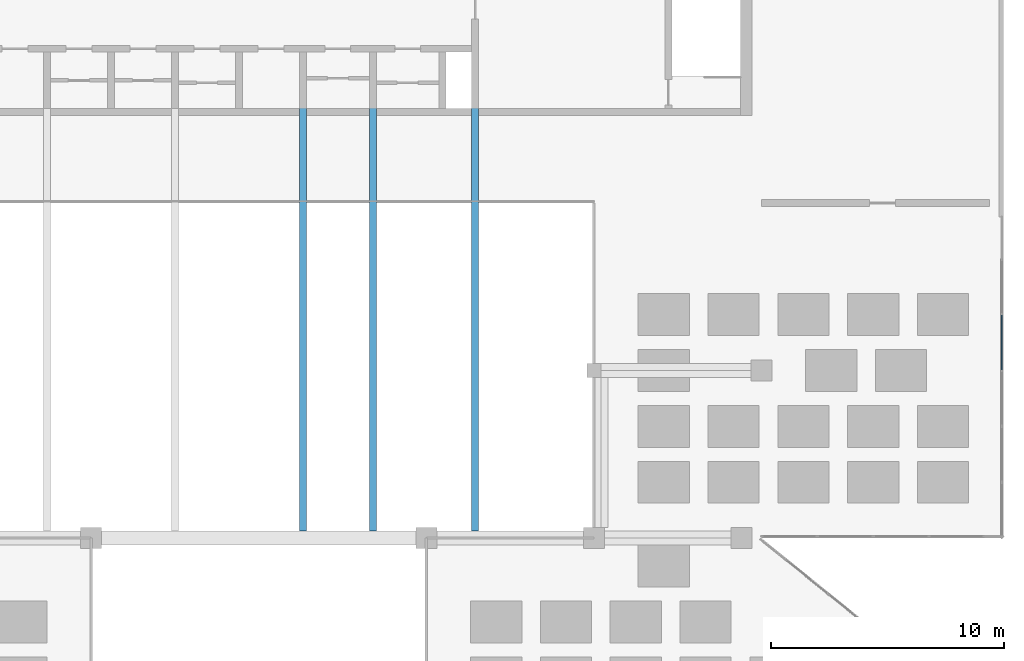
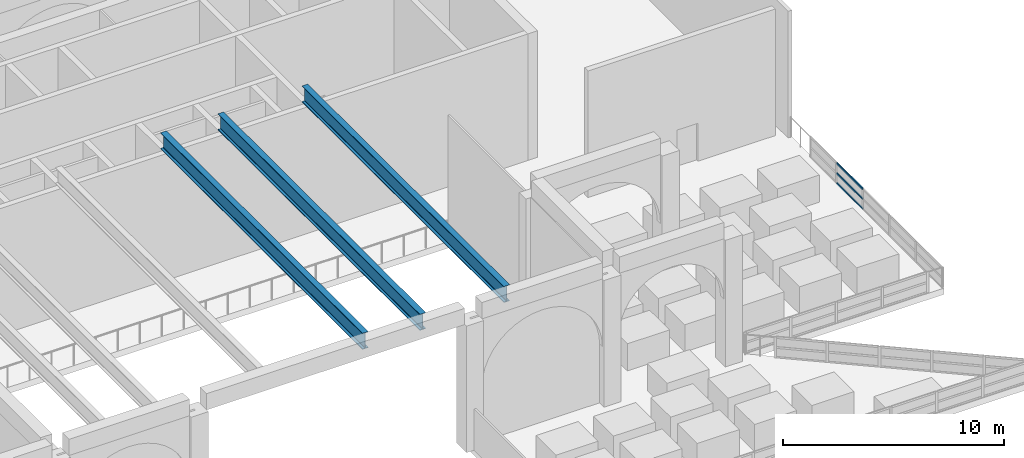
# One storey, part 9 of 17: 3 beams, 3 members, 1 element without a shape of its own.
"""IFC4 building model written with IfcOpenShell, lengths in metres."""

from ifc_helpers import new_model, si_unit, direction, frame, origin, origin_2d, place, context, subcontext, project, spatial, rectangle, i_section, extrude, source, transform, mapped, material, layer, layer_set, material_profile, profile_set, type_object, element, aggregate, save


model = new_model("IFC4")

# Units and contexts
model_context = context("Model", 3, precision=1e-05, world=origin(), true_north=direction((0.0, 1.0)))
body_context = subcontext(model_context, "Body", "Model", "MODEL_VIEW")
ifc_project = project(units=[si_unit("LENGTHUNIT", "METRE"), si_unit("AREAUNIT", "SQUARE_METRE"), si_unit("VOLUMEUNIT", "CUBIC_METRE"), si_unit("PLANEANGLEUNIT", "RADIAN"), si_unit("MASSUNIT", "GRAM", prefix="KILO")], contexts=[model_context])

# Site, building, storey
site_placement = place(None, origin())
site = spatial("IfcSite", under=ifc_project, at=site_placement, CompositionType="ELEMENT")
building_placement = place(site_placement, origin())
building = spatial("IfcBuilding", under=site, at=building_placement, Name="Saffron Iwan Residences", CompositionType="ELEMENT")
storey_placement = place(building_placement, frame((0.0, 0.0, 274.5)))
storey = spatial("IfcBuildingStorey", under=building, at=storey_placement, Name="L74", CompositionType="ELEMENT", Elevation=274.5)

# Beams
ifc_material_1 = material(Name="Steel S355", Category="steel")
ifc_material_profile_1 = material_profile(ifc_material_1, i_section(OverallWidth=0.300048828125, OverallDepth=0.89990234375, WebThickness=0.0185546875, FlangeThickness=0.034912109375, FilletRadius=0.030029296875, at=origin_2d()), Name="HE 900 B")
ifc_profile_set_1 = profile_set([ifc_material_profile_1], Name="Steel S355")
beam_type = type_object("IfcBeamType", Name="ROOFLIGHT GIRDER HE 900 B S355", PredefinedType="BEAM", material=ifc_profile_set_1)
shared_shape_1 = source(origin(), body_context, "Body", "SweptSolid", [
    extrude(i_section(OverallWidth=0.300048828125, OverallDepth=0.89990234375, WebThickness=0.0185546875, FlangeThickness=0.034912109375, FilletRadius=0.030029296875, at=origin_2d()), origin(), (0.0, 0.0, 1.0), 18.300048828125),
])
for number, where, z_axis, x_axis, name in (
    (1, (52.300048828125, 48.300048828125, 7.449951171875), (0.0, 1.0, 0.0), (-1.0, 0.0, 0.0), "Rooflight girder"),
    (2, (55.300048828125, 48.300048828125, 7.449951171875), (0.0, 1.0, 0.0), (-1.0, 0.0, 0.0), "Rooflight girder"),
    (3, (59.699951171875, 48.300048828125, 7.449951171875), (0.0, 1.0, 0.0), (-1.0, 0.0, 0.0), "Rooflight girder"),
):
    element("IfcBeam", number, at=place(storey_placement, frame(where, z_axis=z_axis, x_axis=x_axis)), inside=storey, type_object=beam_type, Name=name, PredefinedType="BEAM", context=body_context, shape_type="MappedRepresentation", body=[
        mapped(shared_shape_1, transform((0.0, 0.0, 0.0))),
    ])

# Curtain wall, members
ifc_material_2 = material(Name="Clear glass, laminated double glazed", Category="glass")
ifc_layer = layer(ifc_material_2, 0.10009765625)
ifc_layer_set = layer_set([ifc_layer], Name="Clear glass, laminated double glazed")
curtain_wall_type = type_object("IfcCurtainWallType", Name="CW-F ROOF TERRACE GLAZED GUARD", PredefinedType="NOTDEFINED", material=ifc_layer_set)
curtain_wall_placement = place(storey_placement, origin())
curtain_wall = element("IfcCurtainWall", 4, at=curtain_wall_placement, inside=storey, type_object=curtain_wall_type, Name="Glazed terrace guard F2.4", PredefinedType="NOTDEFINED")
ifc_material_3 = material(Name="Aluminium 6063-T6", Category="aluminium")
ifc_material_profile_2 = material_profile(ifc_material_3, rectangle(XDim=0.050048828125, YDim=0.10009765625, at=origin_2d()), Name="CW-F TRANSOM 50 x 100")
ifc_profile_set_2 = profile_set([ifc_material_profile_2], Name="Aluminium 6063-T6")
member_type = type_object("IfcMemberType", Name="CW-F TRANSOM 50 x 100", PredefinedType="USERDEFINED", material=ifc_profile_set_2)
shared_shape_2 = source(origin(), body_context, "Body", "SweptSolid", [
    extrude(rectangle(XDim=0.050048828125, YDim=0.10009765625, at=origin_2d()), origin(), (0.0, 0.0, 1.0), 2.349853515625),
])
member_1_placement = place(storey_placement, frame((82.324951171875, 55.22509765625, 0.02490234375), z_axis=(0.0, 1.0, 0.0), x_axis=(-1.0, 0.0, 0.0)))
member_1 = element("IfcMember", 5, at=member_1_placement, type_object=member_type, Name="CW-F transom 4.1", ObjectType="TRANSOM", PredefinedType="USERDEFINED", context=body_context, shape_type="MappedRepresentation", body=[
    mapped(shared_shape_2, transform((0.0, 0.0, 0.0))),
])
member_2_placement = place(storey_placement, frame((82.324951171875, 55.22509765625, 0.574951171875), z_axis=(0.0, 1.0, 0.0), x_axis=(-1.0, 0.0, 0.0)))
member_2 = element("IfcMember", 6, at=member_2_placement, type_object=member_type, Name="CW-F transom 4.2", ObjectType="TRANSOM", PredefinedType="USERDEFINED", context=body_context, shape_type="MappedRepresentation", body=[
    mapped(shared_shape_2, transform((0.0, 0.0, 0.0))),
])
member_3_placement = place(storey_placement, frame((82.324951171875, 55.22509765625, 1.125), z_axis=(0.0, 1.0, 0.0), x_axis=(-1.0, 0.0, 0.0)))
member_3 = element("IfcMember", 7, at=member_3_placement, type_object=member_type, Name="CW-F transom 4.3", ObjectType="TRANSOM", PredefinedType="USERDEFINED", context=body_context, shape_type="MappedRepresentation", body=[
    mapped(shared_shape_2, transform((0.0, 0.0, 0.0))),
])
aggregate(curtain_wall, [member_1, member_2, member_3])

save(model, "model.ifc")
